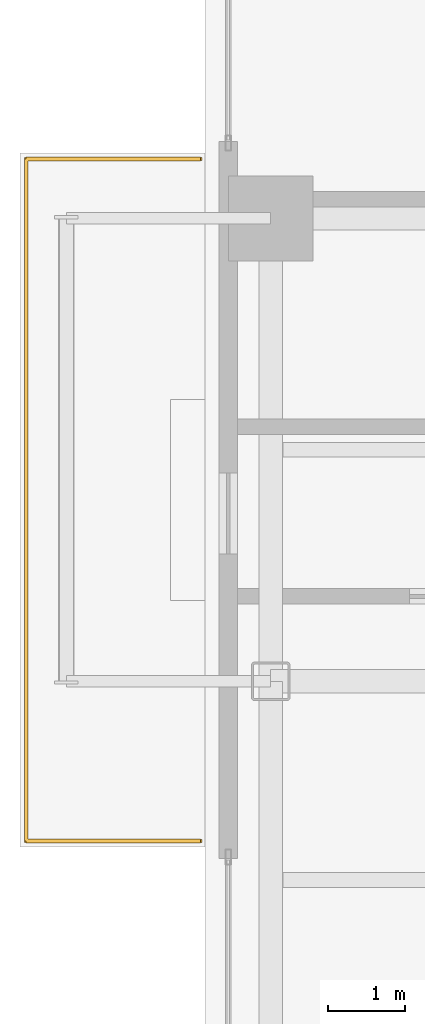
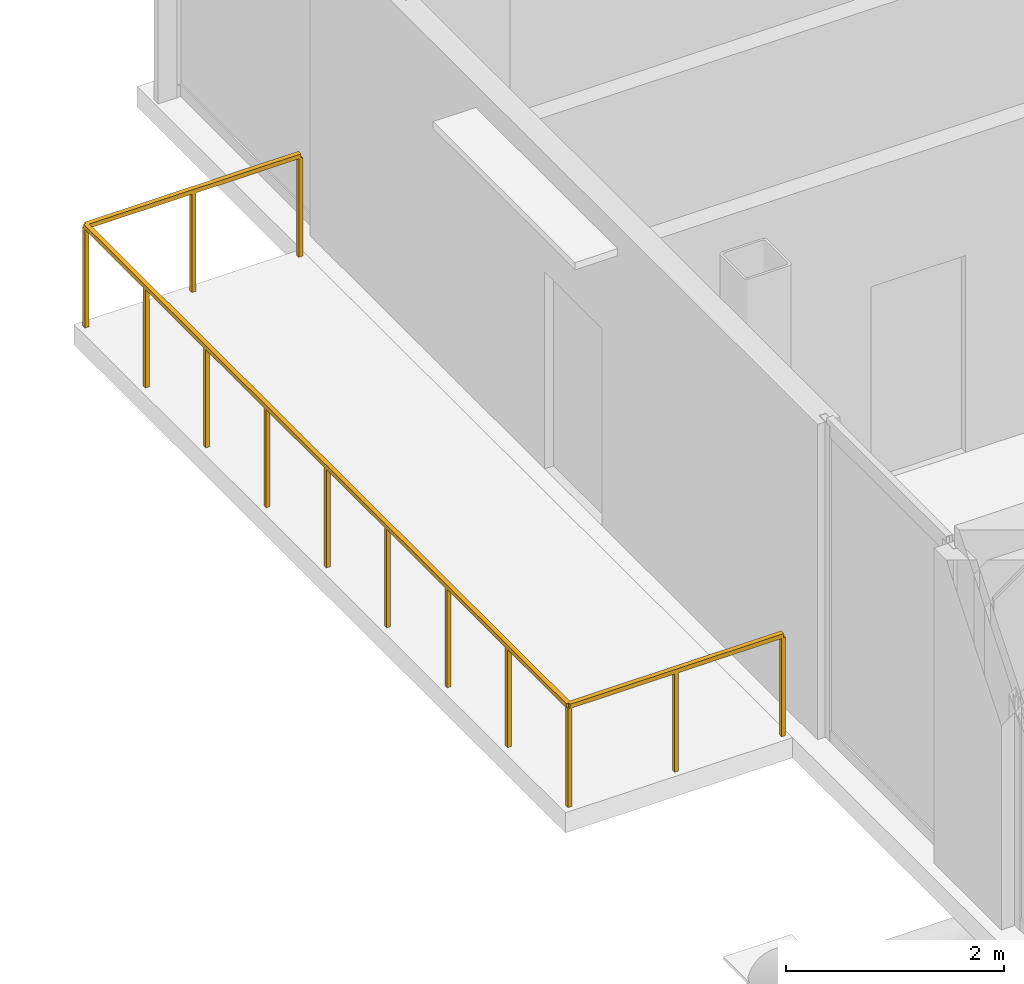
# One storey, part 28 of 28: 1 railing.
"""IFC4 building model written with IfcOpenShell, lengths in metres."""

from ifc_helpers import new_model, si_unit, direction, frame, origin, origin_2d, place, context, subcontext, project, spatial, rectangle, extrude, material, type_object, element, save


model = new_model("IFC4")

# Units and contexts
model_context = context("Model", 3, precision=1e-05, world=origin(), true_north=direction((0.0, 1.0)))
body_context = subcontext(model_context, "Body", "Model", "MODEL_VIEW")
ifc_project = project(units=[si_unit("LENGTHUNIT", "METRE"), si_unit("AREAUNIT", "SQUARE_METRE"), si_unit("VOLUMEUNIT", "CUBIC_METRE"), si_unit("PLANEANGLEUNIT", "RADIAN"), si_unit("MASSUNIT", "GRAM", prefix="KILO"), si_unit("THERMODYNAMICTEMPERATUREUNIT", "KELVIN"), si_unit("POWERUNIT", "WATT")], contexts=[model_context])

# Site, building, storey
site_placement = place(None, origin())
site = spatial("IfcSite", under=ifc_project, at=site_placement, CompositionType="ELEMENT")
building_placement = place(site_placement, origin())
building = spatial("IfcBuilding", under=site, at=building_placement, Name="Svarakhadi Broadcast Tower", CompositionType="ELEMENT")
storey_placement = place(building_placement, frame((0.0, 0.0, 123.14990234375)))
storey = spatial("IfcBuildingStorey", under=building, at=storey_placement, Name="L29", CompositionType="ELEMENT", Elevation=123.14990234375)

# Railing
ifc_material = material(Name="Laminated Structural SentryGlas Balustrade 25.5 mm", Category="glass")
railing_type = type_object("IfcRailingType", Name="Guard_Balcony_GR01", PredefinedType="BALUSTRADE", material=ifc_material)
railing_placement = place(storey_placement, frame((-0.06005859375, 27.080078125, 0.0)))
element("IfcRailing", 1, at=railing_placement, inside=storey, type_object=railing_type, Name="L29 West Tree Balcony Guard GR-05", PredefinedType="BALUSTRADE", context=body_context, shape_type="SweptSolid", body=[
    extrude(rectangle(XDim=0.048095703125, YDim=0.048095703125, at=origin_2d()), frame((0.0, 0.0, 1.1259765625), z_axis=(-1.0, 0.0, 0.0), x_axis=(0.0, -1.0, 0.0)), (0.0, 0.0, 1.0), 2.260009765625),
    extrude(rectangle(XDim=0.048095703125, YDim=0.048095703125, at=origin_2d()), frame((-2.260009765625, 0.0, 1.1259765625), z_axis=(0.0, 1.0, 0.0), x_axis=(-1.0, 0.0, 0.0)), (0.0, 0.0, 1.0), 8.83984375),
    extrude(rectangle(XDim=0.048095703125, YDim=0.048095703125, at=origin_2d()), frame((-2.260009765625, 8.83984375, 1.1259765625), z_axis=(1.0, 0.0, 0.0), x_axis=(0.0, 1.0, 0.0)), (0.0, 0.0, 1.0), 2.260009765625),
    extrude(rectangle(XDim=0.0419921875, YDim=0.0419921875, at=origin_2d()), origin(), (0.0, 0.0, 1.0), 1.101806640625),
    extrude(rectangle(XDim=0.0419921875, YDim=0.0419921875, at=origin_2d()), frame((-1.1298828125, 0.0, 0.0)), (0.0, 0.0, 1.0), 1.101806640625),
    extrude(rectangle(XDim=0.0419921875, YDim=0.0419921875, at=origin_2d()), frame((-2.260009765625, 0.0, 0.0)), (0.0, 0.0, 1.0), 1.101806640625),
    extrude(rectangle(XDim=0.0419921875, YDim=0.0419921875, at=origin_2d()), frame((-2.260009765625, 1.10498046875, 0.0)), (0.0, 0.0, 1.0), 1.101806640625),
    extrude(rectangle(XDim=0.0419921875, YDim=0.0419921875, at=origin_2d()), frame((-2.260009765625, 2.2099609375, 0.0)), (0.0, 0.0, 1.0), 1.101806640625),
    extrude(rectangle(XDim=0.0419921875, YDim=0.0419921875, at=origin_2d()), frame((-2.260009765625, 3.31494140625, 0.0)), (0.0, 0.0, 1.0), 1.101806640625),
    extrude(rectangle(XDim=0.0419921875, YDim=0.0419921875, at=origin_2d()), frame((-2.260009765625, 4.419921875, 0.0)), (0.0, 0.0, 1.0), 1.101806640625),
    extrude(rectangle(XDim=0.0419921875, YDim=0.0419921875, at=origin_2d()), frame((-2.260009765625, 5.52490234375, 0.0)), (0.0, 0.0, 1.0), 1.101806640625),
    extrude(rectangle(XDim=0.0419921875, YDim=0.0419921875, at=origin_2d()), frame((-2.260009765625, 6.6298828125, 0.0)), (0.0, 0.0, 1.0), 1.101806640625),
    extrude(rectangle(XDim=0.0419921875, YDim=0.0419921875, at=origin_2d()), frame((-2.260009765625, 7.73486328125, 0.0)), (0.0, 0.0, 1.0), 1.101806640625),
    extrude(rectangle(XDim=0.0419921875, YDim=0.0419921875, at=origin_2d()), frame((-2.260009765625, 8.83984375, 0.0)), (0.0, 0.0, 1.0), 1.101806640625),
    extrude(rectangle(XDim=0.0419921875, YDim=0.0419921875, at=origin_2d()), frame((-1.1298828125, 8.83984375, 0.0)), (0.0, 0.0, 1.0), 1.101806640625),
    extrude(rectangle(XDim=0.0419921875, YDim=0.0419921875, at=origin_2d()), frame((0.0, 8.83984375, 0.0)), (0.0, 0.0, 1.0), 1.101806640625),
])

save(model, "model.ifc")
